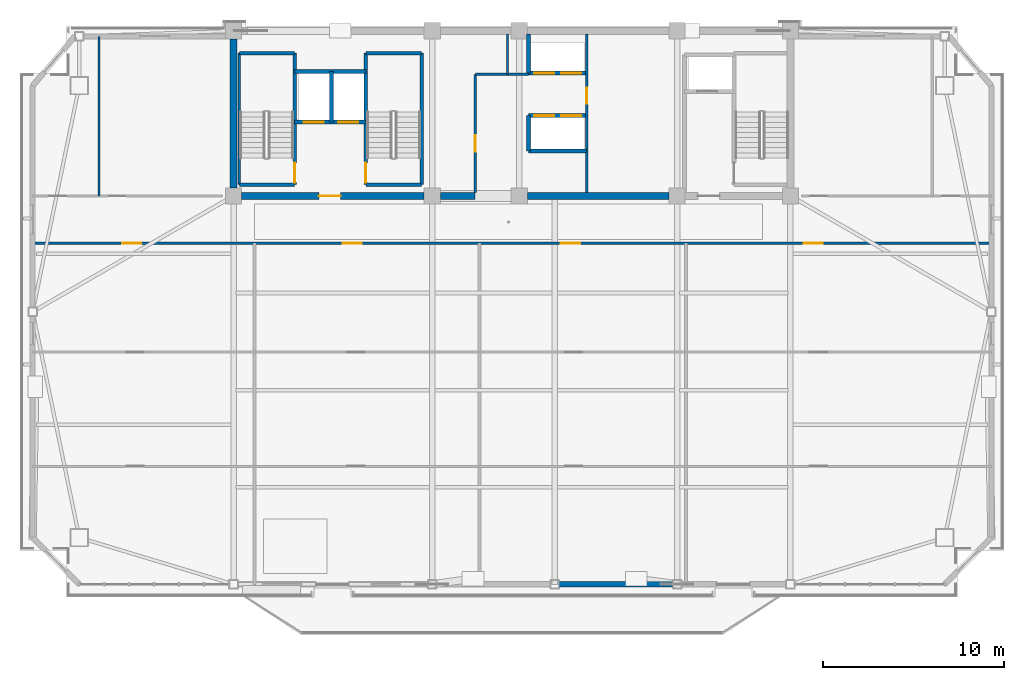
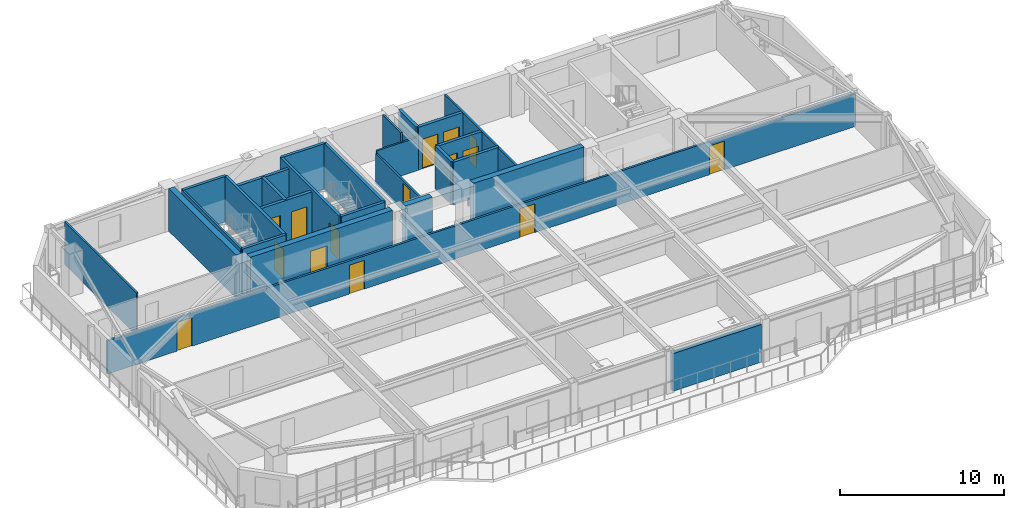
# One storey, part 9 of 18: 27 walls, 15 doors, 15 openings.
"""IFC4 building model written with IfcOpenShell, lengths in metres."""

from ifc_helpers import new_model, si_unit, direction, frame, frame_2d, origin, place, context, subcontext, project, spatial, rectangle, extrude, source, transform, mapped, material, layer, layer_set, type_object, element, fill, save


model = new_model("IFC4")

# Units and contexts
model_context = context("Model", 3, precision=1e-05, world=origin(), true_north=direction((0.0, 1.0)))
body_context = subcontext(model_context, "Body", "Model", "MODEL_VIEW")
ifc_project = project(units=[si_unit("LENGTHUNIT", "METRE"), si_unit("AREAUNIT", "SQUARE_METRE"), si_unit("VOLUMEUNIT", "CUBIC_METRE"), si_unit("PLANEANGLEUNIT", "RADIAN"), si_unit("MASSUNIT", "GRAM", prefix="KILO")], contexts=[model_context])

# Site, building, storey
site_placement = place(None, origin())
site = spatial("IfcSite", under=ifc_project, at=site_placement, CompositionType="ELEMENT")
building_placement = place(site_placement, origin())
building = spatial("IfcBuilding", under=site, at=building_placement, Name="Giltprow Tower", CompositionType="ELEMENT")
storey_placement = place(building_placement, frame((0.0, 0.0, 258.699951171875)))
storey = spatial("IfcBuildingStorey", under=building, at=storey_placement, Name="L66", CompositionType="ELEMENT", Elevation=258.699951171875)

# Wall
ifc_material_1 = material(Name="Precast concrete C40", Category="concrete")
ifc_layer_1 = layer(ifc_material_1, 0.280029296875, Name="Precast concrete C40")
ifc_layer_set_1 = layer_set([ifc_layer_1], Name="Precast concrete C40")
wall_type_1 = type_object("IfcWallType", Name="EW-TOW-BRONZE-280", PredefinedType="SOLIDWALL", material=ifc_layer_set_1)
wall_1_placement = place(storey_placement, frame((37.800048828125, 16.044921875, 0.0), z_axis=(0.0, 0.0, 1.0), x_axis=(1.0, 0.0, 0.0)))
element("IfcWall", 1, at=wall_1_placement, inside=storey, type_object=wall_type_1, Name="L66 South Expressed Frame Wall 4", PredefinedType="SOLIDWALL", context=body_context, shape_type="SweptSolid", body=[
    extrude(rectangle(XDim=6.25, YDim=0.280029296875, at=frame_2d((3.125, 0.0))), origin(), (0.0, 0.0, 1.0), 2.81494140625),
])

# Wall, openings, doors
ifc_material_2 = material(Name="Gypsum stud partition", Category="gypsum")
ifc_layer_2 = layer(ifc_material_2, 0.14990234375, Name="Gypsum stud partition")
ifc_layer_set_2 = layer_set([ifc_layer_2], Name="Gypsum stud partition")
wall_type_2 = type_object("IfcWallType", Name="IW-CORR-150", PredefinedType="PARTITIONING", material=ifc_layer_set_2)
wall_2_placement = place(storey_placement, frame((8.779052734375, 34.85009765625, 0.0), z_axis=(0.0, 0.0, 1.0), x_axis=(1.0, 0.0, 0.0)))
wall_2 = element("IfcWall", 2, at=wall_2_placement, inside=storey, type_object=wall_type_2, Name="L66 Residence Gallery Corridor Wall", PredefinedType="PARTITIONING", context=body_context, shape_type="SweptSolid", body=[
    extrude(rectangle(XDim=52.843017578125, YDim=0.14990234375, at=frame_2d((26.42138671875, 0.0))), origin(), (0.0, 0.0, 1.0), 2.469970703125),
])
opening_1_placement = place(wall_2_placement, frame((4.93701171875, 0.0, 0.0)))
opening_1 = element("IfcOpeningElement", 3, at=opening_1_placement, cuts=wall_2, Name="Opening ID31", PredefinedType="OPENING", context=body_context, shape_type="SweptSolid", body=[
    extrude(rectangle(XDim=1.050048828125, YDim=2.14990234375, at=frame_2d((0.52490234375, 1.074951171875))), frame((0.0, 0.0849609375, 0.0), z_axis=(0.0, -1.0, 0.0), x_axis=(1.0, 0.0, 0.0)), (0.0, 0.0, 1.0), 0.169921875),
])
opening_2_placement = place(wall_2_placement, frame((17.10205078125, 0.0, 0.0)))
opening_2 = element("IfcOpeningElement", 4, at=opening_2_placement, cuts=wall_2, Name="Opening ID31", PredefinedType="OPENING", context=body_context, shape_type="SweptSolid", body=[
    extrude(rectangle(XDim=1.050048828125, YDim=2.14990234375, at=frame_2d((0.52490234375, 1.074951171875))), frame((0.0, 0.0849609375, 0.0), z_axis=(0.0, -1.0, 0.0), x_axis=(1.0, 0.0, 0.0)), (0.0, 0.0, 1.0), 0.169921875),
])
opening_3_placement = place(wall_2_placement, frame((29.1220703125, 0.0, 0.0)))
opening_3 = element("IfcOpeningElement", 5, at=opening_3_placement, cuts=wall_2, Name="Opening ID31", PredefinedType="OPENING", context=body_context, shape_type="SweptSolid", body=[
    extrude(rectangle(XDim=1.050048828125, YDim=2.14990234375, at=frame_2d((0.52490234375, 1.074951171875))), frame((0.0, 0.0849609375, 0.0), z_axis=(0.0, -1.0, 0.0), x_axis=(1.0, 0.0, 0.0)), (0.0, 0.0, 1.0), 0.169921875),
])
opening_4_placement = place(wall_2_placement, frame((42.507080078125, 0.0, 0.0)))
opening_4 = element("IfcOpeningElement", 6, at=opening_4_placement, cuts=wall_2, Name="Opening ID31", PredefinedType="OPENING", context=body_context, shape_type="SweptSolid", body=[
    extrude(rectangle(XDim=1.050048828125, YDim=2.14990234375, at=frame_2d((0.52490234375, 1.074951171875))), frame((0.0, 0.0849609375, 0.0), z_axis=(0.0, -1.0, 0.0), x_axis=(1.0, 0.0, 0.0)), (0.0, 0.0, 1.0), 0.169921875),
])
ifc_material_3 = material(Name="Engineered timber", Category="wood")
door_type_1 = type_object("IfcDoorType", Name="DR-SUITE-1050", OperationType="SINGLE_SWING_LEFT", PredefinedType="DOOR", material=ifc_material_3)
shared_shape_1 = source(origin(), body_context, "Body", "SweptSolid", [
    extrude(rectangle(XDim=1.050048828125, YDim=2.14990234375, at=frame_2d((0.52490234375, 1.074951171875))), frame((0.0, 0.02490234375, 0.0), z_axis=(0.0, -1.0, 0.0), x_axis=(1.0, 0.0, 0.0)), (0.0, 0.0, 1.0), 0.050048828125),
])
door_1_placement = place(opening_1_placement, origin())
door_1 = element("IfcDoor", 7, at=door_1_placement, inside=storey, type_object=door_type_1, Name="L66 Gourmet Delicatessen Shop 1 North Door", OperationType="SINGLE_SWING_RIGHT", OverallHeight=2.14990234375, OverallWidth=1.050048828125, PredefinedType="DOOR", context=body_context, shape_type="MappedRepresentation", body=[
    mapped(shared_shape_1, transform((0.0, 0.0, 0.0), x_axis=(1.0, 0.0, 0.0), y_axis=(0.0, 1.0, 0.0), z_axis=(0.0, 0.0, 1.0), scale=1.0)),
])
fill(opening_1, door_1)
door_2_placement = place(opening_2_placement, origin())
door_2 = element("IfcDoor", 8, at=door_2_placement, inside=storey, type_object=door_type_1, Name="L66 Residents Sky Club Lounge North Door", OperationType="SINGLE_SWING_LEFT", OverallHeight=2.14990234375, OverallWidth=1.050048828125, PredefinedType="DOOR", context=body_context, shape_type="MappedRepresentation", body=[
    mapped(shared_shape_1, transform((0.0, 0.0, 0.0), x_axis=(1.0, 0.0, 0.0), y_axis=(0.0, 1.0, 0.0), z_axis=(0.0, 0.0, 1.0), scale=1.0)),
])
fill(opening_2, door_2)
door_3_placement = place(opening_3_placement, origin())
door_3 = element("IfcDoor", 9, at=door_3_placement, inside=storey, type_object=door_type_1, Name="L66 Residents Sky Club Lounge North Door", OperationType="SINGLE_SWING_RIGHT", OverallHeight=2.14990234375, OverallWidth=1.050048828125, PredefinedType="DOOR", context=body_context, shape_type="MappedRepresentation", body=[
    mapped(shared_shape_1, transform((0.0, 0.0, 0.0), x_axis=(1.0, 0.0, 0.0), y_axis=(0.0, 1.0, 0.0), z_axis=(0.0, 0.0, 1.0), scale=1.0)),
])
fill(opening_3, door_3)
door_4_placement = place(opening_4_placement, origin())
door_4 = element("IfcDoor", 10, at=door_4_placement, inside=storey, type_object=door_type_1, Name="L66 Artisan Bakery Shop 2 North Door", OperationType="SINGLE_SWING_LEFT", OverallHeight=2.14990234375, OverallWidth=1.050048828125, PredefinedType="DOOR", context=body_context, shape_type="MappedRepresentation", body=[
    mapped(shared_shape_1, transform((0.0, 0.0, 0.0), x_axis=(1.0, 0.0, 0.0), y_axis=(0.0, 1.0, 0.0), z_axis=(0.0, 0.0, 1.0), scale=1.0)),
])
fill(opening_4, door_4)

ifc_material_4 = material(Name="Concrete C40", Category="concrete")
ifc_layer_3 = layer(ifc_material_4, 0.219970703125, Name="Concrete C40")
ifc_layer_set_3 = layer_set([ifc_layer_3], Name="Concrete C40")
wall_type_3 = type_object("IfcWallType", Name="IW-SHAFT-220", PredefinedType="SOLIDWALL", material=ifc_layer_set_3)
wall_3_placement = place(storey_placement, frame((23.219970703125, 41.52001953125, 0.0), z_axis=(0.0, 0.0, 1.0), x_axis=(1.0, 0.0, 0.0)))
wall_3 = element("IfcWall", 11, at=wall_3_placement, inside=storey, type_object=wall_type_3, Name="L66 FFL1 and Service Lift Front Wall", PredefinedType="SOLIDWALL", context=body_context, shape_type="SweptSolid", body=[
    extrude(rectangle(XDim=3.919921875, YDim=0.219970703125, at=frame_2d((1.9599609375, 0.0))), origin(), (0.0, 0.0, 1.0), 3.18505859375),
])
opening_5_placement = place(wall_3_placement, frame((0.5, 0.0, 0.0)))
opening_5 = element("IfcOpeningElement", 12, at=opening_5_placement, cuts=wall_3, Name="Opening LD-11", PredefinedType="OPENING", context=body_context, shape_type="SweptSolid", body=[
    extrude(rectangle(XDim=1.10009765625, YDim=2.199951171875, at=frame_2d((0.550048828125, 1.10009765625))), frame((0.0, 0.119873046875, 0.0), z_axis=(0.0, -1.0, 0.0), x_axis=(1.0, 0.0, 0.0)), (0.0, 0.0, 1.0), 0.239990234375),
])
opening_6_placement = place(wall_3_placement, frame((2.39990234375, 0.0, 0.0)))
opening_6 = element("IfcOpeningElement", 13, at=opening_6_placement, cuts=wall_3, Name="Opening LD-11", PredefinedType="OPENING", context=body_context, shape_type="SweptSolid", body=[
    extrude(rectangle(XDim=1.10009765625, YDim=2.199951171875, at=frame_2d((0.550048828125, 1.10009765625))), frame((0.0, 0.119873046875, 0.0), z_axis=(0.0, -1.0, 0.0), x_axis=(1.0, 0.0, 0.0)), (0.0, 0.0, 1.0), 0.239990234375),
])
ifc_material_5 = material(Name="Stainless steel", Category="steel")
door_type_2 = type_object("IfcDoorType", Name="DR-LIFT-LD1100", OperationType="SLIDING_TO_LEFT", PredefinedType="DOOR", material=ifc_material_5)
shared_shape_2 = source(origin(), body_context, "Body", "SweptSolid", [
    extrude(rectangle(XDim=1.10009765625, YDim=2.199951171875, at=frame_2d((0.550048828125, 1.10009765625))), frame((0.0, 0.02490234375, 0.0), z_axis=(0.0, -1.0, 0.0), x_axis=(1.0, 0.0, 0.0)), (0.0, 0.0, 1.0), 0.050048828125),
])
door_5_placement = place(opening_5_placement, origin())
door_5 = element("IfcDoor", 14, at=door_5_placement, inside=storey, type_object=door_type_2, Name="L66 FFL1 Landing Door", OperationType="SLIDING_TO_LEFT", OverallHeight=2.199951171875, OverallWidth=1.10009765625, PredefinedType="DOOR", context=body_context, shape_type="MappedRepresentation", body=[
    mapped(shared_shape_2, transform((0.0, 0.0, 0.0), x_axis=(1.0, 0.0, 0.0), y_axis=(0.0, 1.0, 0.0), z_axis=(0.0, 0.0, 1.0), scale=1.0)),
])
fill(opening_5, door_5)
door_6_placement = place(opening_6_placement, origin())
door_6 = element("IfcDoor", 15, at=door_6_placement, inside=storey, type_object=door_type_2, Name="L66 SVL1 Landing Door", OperationType="SLIDING_TO_LEFT", OverallHeight=2.199951171875, OverallWidth=1.10009765625, PredefinedType="DOOR", context=body_context, shape_type="MappedRepresentation", body=[
    mapped(shared_shape_2, transform((0.0, 0.0, 0.0), x_axis=(1.0, 0.0, 0.0), y_axis=(0.0, 1.0, 0.0), z_axis=(0.0, 0.0, 1.0), scale=1.0)),
])
fill(opening_6, door_6)

# Walls
wall_4_placement = place(storey_placement, frame((25.260009765625, 41.52001953125, 0.0), z_axis=(0.0, 0.0, 1.0), x_axis=(0.0, 1.0, 0.0)))
element("IfcWall", 16, at=wall_4_placement, inside=storey, type_object=wall_type_3, Name="L66 FFL1-SVL1 Shaft Divider", PredefinedType="SOLIDWALL", context=body_context, shape_type="SweptSolid", body=[
    extrude(rectangle(XDim=2.800048828125, YDim=0.219970703125, at=frame_2d((1.39990234375, 0.0))), origin(), (0.0, 0.0, 1.0), 3.18505859375),
])
wall_5_placement = place(storey_placement, frame((23.219970703125, 44.320068359375, 0.0), z_axis=(0.0, 0.0, 1.0), x_axis=(1.0, 0.0, 0.0)))
element("IfcWall", 17, at=wall_5_placement, inside=storey, type_object=wall_type_3, Name="L66 FFL1-SVL1 Back Shaft Wall", PredefinedType="SOLIDWALL", context=body_context, shape_type="SweptSolid", body=[
    extrude(rectangle(XDim=3.919921875, YDim=0.219970703125, at=frame_2d((1.9599609375, 0.0))), origin(), (0.0, 0.0, 1.0), 3.18505859375),
])

# Wall, openings, doors
wall_6_placement = place(storey_placement, frame((36.1201171875, 44.219970703125, 0.0), z_axis=(0.0, 0.0, 1.0), x_axis=(1.0, 0.0, 0.0)))
wall_6 = element("IfcWall", 18, at=wall_6_placement, inside=storey, type_object=wall_type_3, Name="L66 High-Rise Lift Shaft Front Wall N", PredefinedType="SOLIDWALL", context=body_context, shape_type="SweptSolid", body=[
    extrude(rectangle(XDim=3.199951171875, YDim=0.219970703125, at=frame_2d((1.60009765625, 0.0))), origin(), (0.0, 0.0, 1.0), 3.18505859375),
])
opening_7_placement = place(wall_6_placement, frame((0.300048828125, 0.0, 0.0)))
opening_7 = element("IfcOpeningElement", 19, at=opening_7_placement, cuts=wall_6, Name="Opening LD-11", PredefinedType="OPENING", context=body_context, shape_type="SweptSolid", body=[
    extrude(rectangle(XDim=1.10009765625, YDim=2.199951171875, at=frame_2d((0.550048828125, 1.10009765625))), frame((0.0, 0.119873046875, 0.0), z_axis=(0.0, -1.0, 0.0), x_axis=(1.0, 0.0, 0.0)), (0.0, 0.0, 1.0), 0.239990234375),
])
opening_8_placement = place(wall_6_placement, frame((1.7900390625, 0.0, 0.0)))
opening_8 = element("IfcOpeningElement", 20, at=opening_8_placement, cuts=wall_6, Name="Opening LD-11", PredefinedType="OPENING", context=body_context, shape_type="SweptSolid", body=[
    extrude(rectangle(XDim=1.10009765625, YDim=2.199951171875, at=frame_2d((0.550048828125, 1.10009765625))), frame((0.0, 0.119873046875, 0.0), z_axis=(0.0, -1.0, 0.0), x_axis=(1.0, 0.0, 0.0)), (0.0, 0.0, 1.0), 0.239990234375),
])
door_7_placement = place(opening_7_placement, origin())
door_7 = element("IfcDoor", 21, at=door_7_placement, inside=storey, type_object=door_type_2, Name="L66 PL-H1 Landing Door", OperationType="SLIDING_TO_LEFT", OverallHeight=2.199951171875, OverallWidth=1.10009765625, PredefinedType="DOOR", context=body_context, shape_type="MappedRepresentation", body=[
    mapped(shared_shape_2, transform((0.0, 0.0, 0.0), x_axis=(1.0, 0.0, 0.0), y_axis=(0.0, 1.0, 0.0), z_axis=(0.0, 0.0, 1.0), scale=1.0)),
])
fill(opening_7, door_7)
door_8_placement = place(opening_8_placement, origin())
door_8 = element("IfcDoor", 22, at=door_8_placement, inside=storey, type_object=door_type_2, Name="L66 PL-H2 Landing Door", OperationType="SLIDING_TO_LEFT", OverallHeight=2.199951171875, OverallWidth=1.10009765625, PredefinedType="DOOR", context=body_context, shape_type="MappedRepresentation", body=[
    mapped(shared_shape_2, transform((0.0, 0.0, 0.0), x_axis=(1.0, 0.0, 0.0), y_axis=(0.0, 1.0, 0.0), z_axis=(0.0, 0.0, 1.0), scale=1.0)),
])
fill(opening_8, door_8)

wall_7_placement = place(storey_placement, frame((36.1201171875, 41.8798828125, 0.0), z_axis=(0.0, 0.0, 1.0), x_axis=(1.0, 0.0, 0.0)))
wall_7 = element("IfcWall", 23, at=wall_7_placement, inside=storey, type_object=wall_type_3, Name="L66 High-Rise Lift Shaft Front Wall S", PredefinedType="SOLIDWALL", context=body_context, shape_type="SweptSolid", body=[
    extrude(rectangle(XDim=3.199951171875, YDim=0.219970703125, at=frame_2d((1.60009765625, 0.0))), origin(), (0.0, 0.0, 1.0), 3.18505859375),
])
opening_9_placement = place(wall_7_placement, frame((0.300048828125, 0.0, 0.0)))
opening_9 = element("IfcOpeningElement", 24, at=opening_9_placement, cuts=wall_7, Name="Opening LD-11", PredefinedType="OPENING", context=body_context, shape_type="SweptSolid", body=[
    extrude(rectangle(XDim=1.10009765625, YDim=2.199951171875, at=frame_2d((0.550048828125, 1.10009765625))), frame((0.0, 0.119873046875, 0.0), z_axis=(0.0, -1.0, 0.0), x_axis=(1.0, 0.0, 0.0)), (0.0, 0.0, 1.0), 0.239990234375),
])
opening_10_placement = place(wall_7_placement, frame((1.7900390625, 0.0, 0.0)))
opening_10 = element("IfcOpeningElement", 25, at=opening_10_placement, cuts=wall_7, Name="Opening LD-11", PredefinedType="OPENING", context=body_context, shape_type="SweptSolid", body=[
    extrude(rectangle(XDim=1.10009765625, YDim=2.199951171875, at=frame_2d((0.550048828125, 1.10009765625))), frame((0.0, 0.119873046875, 0.0), z_axis=(0.0, -1.0, 0.0), x_axis=(1.0, 0.0, 0.0)), (0.0, 0.0, 1.0), 0.239990234375),
])
door_9_placement = place(opening_9_placement, origin())
door_9 = element("IfcDoor", 26, at=door_9_placement, inside=storey, type_object=door_type_2, Name="L66 PL-H3 Landing Door", OperationType="SLIDING_TO_LEFT", OverallHeight=2.199951171875, OverallWidth=1.10009765625, PredefinedType="DOOR", context=body_context, shape_type="MappedRepresentation", body=[
    mapped(shared_shape_2, transform((0.0, 0.0, 0.0), x_axis=(1.0, 0.0, 0.0), y_axis=(0.0, 1.0, 0.0), z_axis=(0.0, 0.0, 1.0), scale=1.0)),
])
fill(opening_9, door_9)
door_10_placement = place(opening_10_placement, origin())
door_10 = element("IfcDoor", 27, at=door_10_placement, inside=storey, type_object=door_type_2, Name="L66 PL-H4 Landing Door", OperationType="SLIDING_TO_LEFT", OverallHeight=2.199951171875, OverallWidth=1.10009765625, PredefinedType="DOOR", context=body_context, shape_type="MappedRepresentation", body=[
    mapped(shared_shape_2, transform((0.0, 0.0, 0.0), x_axis=(1.0, 0.0, 0.0), y_axis=(0.0, 1.0, 0.0), z_axis=(0.0, 0.0, 1.0), scale=1.0)),
])
fill(opening_10, door_10)

# Walls
wall_8_placement = place(storey_placement, frame((36.1201171875, 39.919921875, 0.0), z_axis=(0.0, 0.0, 1.0), x_axis=(1.0, 0.0, 0.0)))
element("IfcWall", 28, at=wall_8_placement, inside=storey, type_object=wall_type_3, Name="L66 High-Rise South Lift Back Wall", PredefinedType="SOLIDWALL", context=body_context, shape_type="SweptSolid", body=[
    extrude(rectangle(XDim=3.199951171875, YDim=0.219970703125, at=frame_2d((1.60009765625, 0.0))), origin(), (0.0, 0.0, 1.0), 3.18505859375),
])
wall_9_placement = place(storey_placement, frame((36.1201171875, 39.919921875, 0.0), z_axis=(0.0, 0.0, 1.0), x_axis=(0.0, 1.0, 0.0)))
element("IfcWall", 29, at=wall_9_placement, inside=storey, type_object=wall_type_3, Name="L66 High-Rise South Lift West Closure", PredefinedType="SOLIDWALL", context=body_context, shape_type="SweptSolid", body=[
    extrude(rectangle(XDim=1.9599609375, YDim=0.219970703125, at=frame_2d((0.97998046875, 0.0))), origin(), (0.0, 0.0, 1.0), 3.18505859375),
])
wall_10_placement = place(storey_placement, frame((36.1201171875, 44.219970703125, 0.0), z_axis=(0.0, 0.0, 1.0), x_axis=(0.0, 1.0, 0.0)))
element("IfcWall", 30, at=wall_10_placement, inside=storey, type_object=wall_type_3, Name="L66 High-Rise North Lift West Closure", PredefinedType="SOLIDWALL", context=body_context, shape_type="SweptSolid", body=[
    extrude(rectangle(XDim=2.150146484375, YDim=0.219970703125, at=frame_2d((1.0751953125, 0.0))), origin(), (0.0, 0.0, 1.0), 3.18505859375),
])
ifc_material_6 = material(Name="Concrete C45", Category="concrete")
ifc_layer_4 = layer(ifc_material_6, 0.139892578125, Name="Concrete C45")
ifc_layer_set_4 = layer_set([ifc_layer_4], Name="Concrete C45")
wall_type_4 = type_object("IfcWallType", Name="IW-STAIR-140", PredefinedType="SOLIDWALL", material=ifc_layer_set_4)
wall_11_placement = place(storey_placement, frame((20.169921875, 38.070068359375, 0.0), z_axis=(0.0, 0.0, 1.0), x_axis=(0.0, 1.0, 0.0)))
element("IfcWall", 31, at=wall_11_placement, inside=storey, type_object=wall_type_4, Name="L66 Stair ST-1 West Bearing Wall", PredefinedType="SOLIDWALL", context=body_context, shape_type="SweptSolid", body=[
    extrude(rectangle(XDim=7.25, YDim=0.139892578125, at=frame_2d((3.625, 0.0))), origin(), (0.0, 0.0, 1.0), 3.400146484375),
])

# Wall, opening, door
ifc_layer_5 = layer(ifc_material_4, 0.199951171875, Name="Concrete C40")
ifc_layer_set_5 = layer_set([ifc_layer_5], Name="Concrete C40")
wall_type_5 = type_object("IfcWallType", Name="IW-STAIR-200", PredefinedType="SOLIDWALL", material=ifc_layer_set_5)
wall_12_placement = place(storey_placement, frame((23.219970703125, 38.070068359375, 0.0), z_axis=(0.0, 0.0, 1.0), x_axis=(0.0, 1.0, 0.0)))
wall_12 = element("IfcWall", 32, at=wall_12_placement, inside=storey, type_object=wall_type_5, Name="L66 Stair ST-1 East Bearing Wall", PredefinedType="SOLIDWALL", context=body_context, shape_type="SweptSolid", body=[
    extrude(rectangle(XDim=7.25, YDim=0.199951171875, at=frame_2d((3.625, 0.0))), origin(), (0.0, 0.0, 1.0), 3.400146484375),
])
opening_11_placement = place(wall_12_placement, frame((0.110107421875, 0.0, 0.0)))
opening_11 = element("IfcOpeningElement", 33, at=opening_11_placement, cuts=wall_12, Name="Opening ID33", PredefinedType="OPENING", context=body_context, shape_type="SweptSolid", body=[
    extrude(rectangle(XDim=1.10009765625, YDim=2.14990234375, at=frame_2d((0.550048828125, 1.074951171875))), frame((0.0, 0.10986328125, 0.0), z_axis=(0.0, -1.0, 0.0), x_axis=(1.0, 0.0, 0.0)), (0.0, 0.0, 1.0), 0.219970703125),
])
ifc_material_7 = material(Name="Steel fire leaf", Category="steel")
door_type_3 = type_object("IfcDoorType", Name="DR-STAIR-1100", OperationType="SINGLE_SWING_LEFT", PredefinedType="DOOR", material=ifc_material_7)
shared_shape_3 = source(origin(), body_context, "Body", "SweptSolid", [
    extrude(rectangle(XDim=1.10009765625, YDim=2.14990234375, at=frame_2d((0.550048828125, 1.074951171875))), frame((0.0, 0.02490234375, 0.0), z_axis=(0.0, -1.0, 0.0), x_axis=(1.0, 0.0, 0.0)), (0.0, 0.0, 1.0), 0.050048828125),
])
door_11_placement = place(opening_11_placement, origin())
door_11 = element("IfcDoor", 34, at=door_11_placement, inside=storey, type_object=door_type_3, Name="L66 Stair ST-1 Fire Door", OperationType="SINGLE_SWING_LEFT", OverallHeight=2.14990234375, OverallWidth=1.10009765625, PredefinedType="DOOR", context=body_context, shape_type="MappedRepresentation", body=[
    mapped(shared_shape_3, transform((0.0, 0.0, 0.0), x_axis=(1.0, 0.0, 0.0), y_axis=(0.0, 1.0, 0.0), z_axis=(0.0, 0.0, 1.0), scale=1.0)),
])
fill(opening_11, door_11)

# Walls
for number, where, z_axis, x_axis, name in (
    (35, (20.169921875, 45.320068359375, 0.0), (0.0, 0.0, 1.0), (1.0, 0.0, 0.0), "L66 Stair ST-1 North Bearing Wall"),
    (36, (20.169921875, 38.070068359375, 0.0), (0.0, 0.0, 1.0), (1.0, 0.0, 0.0), "L66 Stair ST-1 South Bearing Wall"),
):
    element("IfcWall", number, at=place(storey_placement, frame(where, z_axis=z_axis, x_axis=x_axis)), inside=storey, type_object=wall_type_5, Name=name, PredefinedType="SOLIDWALL", context=body_context, shape_type="SweptSolid", body=[
        extrude(rectangle(XDim=3.050048828125, YDim=0.199951171875, at=frame_2d((1.52490234375, 0.0))), origin(), (0.0, 0.0, 1.0), 3.400146484375),
    ])

# Wall, opening, door
wall_13_placement = place(storey_placement, frame((27.139892578125, 38.070068359375, 0.0), z_axis=(0.0, 0.0, 1.0), x_axis=(0.0, 1.0, 0.0)))
wall_13 = element("IfcWall", 37, at=wall_13_placement, inside=storey, type_object=wall_type_5, Name="L66 Stair ST-2 West Bearing Wall", PredefinedType="SOLIDWALL", context=body_context, shape_type="SweptSolid", body=[
    extrude(rectangle(XDim=7.25, YDim=0.199951171875, at=frame_2d((3.625, 0.0))), origin(), (0.0, 0.0, 1.0), 3.400146484375),
])
opening_12_placement = place(wall_13_placement, frame((0.110107421875, 0.0, 0.0)))
opening_12 = element("IfcOpeningElement", 38, at=opening_12_placement, cuts=wall_13, Name="Opening ID33", PredefinedType="OPENING", context=body_context, shape_type="SweptSolid", body=[
    extrude(rectangle(XDim=1.10009765625, YDim=2.14990234375, at=frame_2d((0.550048828125, 1.074951171875))), frame((0.0, 0.10986328125, 0.0), z_axis=(0.0, -1.0, 0.0), x_axis=(1.0, 0.0, 0.0)), (0.0, 0.0, 1.0), 0.219970703125),
])
door_12_placement = place(opening_12_placement, origin())
door_12 = element("IfcDoor", 39, at=door_12_placement, inside=storey, type_object=door_type_3, Name="L66 Stair ST-2 Fire Door", OperationType="SINGLE_SWING_RIGHT", OverallHeight=2.14990234375, OverallWidth=1.10009765625, PredefinedType="DOOR", context=body_context, shape_type="MappedRepresentation", body=[
    mapped(shared_shape_3, transform((0.0, 0.0, 0.0), x_axis=(1.0, 0.0, 0.0), y_axis=(0.0, 1.0, 0.0), z_axis=(0.0, 0.0, 1.0), scale=1.0)),
])
fill(opening_12, door_12)

# Walls
wall_14_placement = place(storey_placement, frame((30.219970703125, 38.070068359375, 0.0), z_axis=(0.0, 0.0, 1.0), x_axis=(0.0, 1.0, 0.0)))
element("IfcWall", 40, at=wall_14_placement, inside=storey, type_object=wall_type_5, Name="L66 Stair ST-2 East Bearing Wall", PredefinedType="SOLIDWALL", context=body_context, shape_type="SweptSolid", body=[
    extrude(rectangle(XDim=7.25, YDim=0.199951171875, at=frame_2d((3.625, 0.0))), origin(), (0.0, 0.0, 1.0), 3.400146484375),
])
for number, where, z_axis, x_axis, name in (
    (41, (27.139892578125, 45.320068359375, 0.0), (0.0, 0.0, 1.0), (1.0, 0.0, 0.0), "L66 Stair ST-2 North Bearing Wall"),
    (42, (27.139892578125, 38.070068359375, 0.0), (0.0, 0.0, 1.0), (1.0, 0.0, 0.0), "L66 Stair ST-2 South Bearing Wall"),
):
    element("IfcWall", number, at=place(storey_placement, frame(where, z_axis=z_axis, x_axis=x_axis)), inside=storey, type_object=wall_type_5, Name=name, PredefinedType="SOLIDWALL", context=body_context, shape_type="SweptSolid", body=[
        extrude(rectangle(XDim=3.080078125, YDim=0.199951171875, at=frame_2d((1.5400390625, 0.0))), origin(), (0.0, 0.0, 1.0), 3.400146484375),
    ])

# Wall, opening, door
ifc_material_8 = material(Name="Concrete C30", Category="concrete")
ifc_layer_6 = layer(ifc_material_8, 0.1298828125, Name="Concrete C30")
ifc_layer_set_6 = layer_set([ifc_layer_6], Name="Concrete C30")
wall_type_6 = type_object("IfcWallType", Name="IW-WET-130", PredefinedType="PARTITIONING", material=ifc_layer_set_6)
wall_15_placement = place(storey_placement, frame((33.179931640625, 37.6298828125, 0.0), z_axis=(0.0, 0.0, 1.0), x_axis=(0.0, 1.0, 0.0)))
wall_15 = element("IfcWall", 43, at=wall_15_placement, inside=storey, type_object=wall_type_6, Name="L66 Reclaimed West Core Wall", PredefinedType="PARTITIONING", context=body_context, shape_type="SweptSolid", body=[
    extrude(rectangle(XDim=6.52001953125, YDim=0.1298828125, at=frame_2d((3.260009765625, 0.0))), origin(), (0.0, 0.0, 1.0), 2.27001953125),
])
opening_13_placement = place(wall_15_placement, frame((2.27001953125, 0.0, 0.0)))
opening_13 = element("IfcOpeningElement", 44, at=opening_13_placement, cuts=wall_15, Name="Opening ID35", PredefinedType="OPENING", context=body_context, shape_type="SweptSolid", body=[
    extrude(rectangle(XDim=0.89990234375, YDim=2.10009765625, at=frame_2d((0.449951171875, 1.050048828125))), frame((0.0, 0.074951171875, 0.0), z_axis=(0.0, -1.0, 0.0), x_axis=(1.0, 0.0, 0.0)), (0.0, 0.0, 1.0), 0.14990234375),
])
door_type_4 = type_object("IfcDoorType", Name="DR-SHAFT-900", OperationType="SINGLE_SWING_LEFT", PredefinedType="DOOR", material=ifc_material_7)
shared_shape_4 = source(origin(), body_context, "Body", "SweptSolid", [
    extrude(rectangle(XDim=0.89990234375, YDim=2.10009765625, at=frame_2d((0.449951171875, 1.050048828125))), frame((0.0, 0.02490234375, 0.0), z_axis=(0.0, -1.0, 0.0), x_axis=(1.0, 0.0, 0.0)), (0.0, 0.0, 1.0), 0.050048828125),
])
door_13_placement = place(opening_13_placement, origin())
door_13 = element("IfcDoor", 45, at=door_13_placement, inside=storey, type_object=door_type_4, Name="L66 Core Accessible Washroom Door", OperationType="SINGLE_SWING_RIGHT", OverallHeight=2.10009765625, OverallWidth=0.89990234375, PredefinedType="DOOR", context=body_context, shape_type="MappedRepresentation", body=[
    mapped(shared_shape_4, transform((0.0, 0.0, 0.0), x_axis=(1.0, 0.0, 0.0), y_axis=(0.0, 1.0, 0.0), z_axis=(0.0, 0.0, 1.0), scale=1.0)),
])
fill(opening_13, door_13)

# Walls
wall_16_placement = place(storey_placement, frame((34.949951171875, 44.14990234375, 0.0), z_axis=(0.0, 0.0, 1.0), x_axis=(0.0, 1.0, 0.0)))
element("IfcWall", 46, at=wall_16_placement, inside=storey, type_object=wall_type_6, Name="L66 Reclaimed West Pocket Wall E", PredefinedType="PARTITIONING", context=body_context, shape_type="SweptSolid", body=[
    extrude(rectangle(XDim=2.22021484375, YDim=0.1298828125, at=frame_2d((1.110107421875, 0.0))), origin(), (0.0, 0.0, 1.0), 3.18505859375),
])
wall_17_placement = place(storey_placement, frame((33.179931640625, 44.14990234375, 0.0), z_axis=(0.0, 0.0, 1.0), x_axis=(1.0, 0.0, 0.0)))
element("IfcWall", 47, at=wall_17_placement, inside=storey, type_object=wall_type_6, Name="L66 Reclaimed West Pocket Wall S", PredefinedType="PARTITIONING", context=body_context, shape_type="SweptSolid", body=[
    extrude(rectangle(XDim=2.940185546875, YDim=0.1298828125, at=frame_2d((1.47021484375, 0.0))), origin(), (0.0, 0.0, 1.0), 2.469970703125),
])

# Wall, opening, door
wall_18_placement = place(storey_placement, frame((39.320068359375, 37.6298828125, 0.0), z_axis=(0.0, 0.0, 1.0), x_axis=(0.0, 1.0, 0.0)))
wall_18 = element("IfcWall", 48, at=wall_18_placement, inside=storey, type_object=wall_type_6, Name="L66 Reclaimed East Core Wall", PredefinedType="PARTITIONING", context=body_context, shape_type="SweptSolid", body=[
    extrude(rectangle(XDim=8.740234375, YDim=0.1298828125, at=frame_2d((4.3701171875, 0.0))), origin(), (0.0, 0.0, 1.0), 3.18505859375),
])
opening_14_placement = place(wall_18_placement, frame((4.889892578125, 0.0, 0.0)))
opening_14 = element("IfcOpeningElement", 49, at=opening_14_placement, cuts=wall_18, Name="Opening ID35", PredefinedType="OPENING", context=body_context, shape_type="SweptSolid", body=[
    extrude(rectangle(XDim=0.89990234375, YDim=2.10009765625, at=frame_2d((0.449951171875, 1.050048828125))), frame((0.0, 0.074951171875, 0.0), z_axis=(0.0, -1.0, 0.0), x_axis=(1.0, 0.0, 0.0)), (0.0, 0.0, 1.0), 0.14990234375),
])
door_14_placement = place(opening_14_placement, origin())
door_14 = element("IfcDoor", 50, at=door_14_placement, inside=storey, type_object=door_type_4, Name="L66 Core Concierge Parcel Store Door", OperationType="SINGLE_SWING_LEFT", OverallHeight=2.10009765625, OverallWidth=0.89990234375, PredefinedType="DOOR", context=body_context, shape_type="MappedRepresentation", body=[
    mapped(shared_shape_4, transform((0.0, 0.0, 0.0), x_axis=(1.0, 0.0, 0.0), y_axis=(0.0, 1.0, 0.0), z_axis=(0.0, 0.0, 1.0), scale=1.0)),
])
fill(opening_14, door_14)

# Wall
wall_19_placement = place(storey_placement, frame((12.43701171875, 37.449951171875, 0.0), z_axis=(0.0, 0.0, 1.0), x_axis=(0.0, 1.0, 0.0)))
element("IfcWall", 51, at=wall_19_placement, inside=storey, type_object=wall_type_6, Name="L66 NW Wing Divider", PredefinedType="PARTITIONING", context=body_context, shape_type="SweptSolid", body=[
    extrude(rectangle(XDim=8.800048828125, YDim=0.1298828125, at=frame_2d((4.39990234375, 0.0))), origin(), (0.0, 0.0, 1.0), 3.18505859375),
])

# Wall, opening, door
ifc_layer_7 = layer(ifc_material_6, 0.39990234375, Name="Concrete C45")
ifc_layer_set_7 = layer_set([ifc_layer_7], Name="Concrete C45")
wall_type_7 = type_object("IfcWallType", Name="SW-INT-400-C45", PredefinedType="SHEAR", material=ifc_layer_set_7)
wall_20_placement = place(storey_placement, frame((20.300048828125, 37.449951171875, 0.0), z_axis=(0.0, 0.0, 1.0), x_axis=(1.0, 0.0, 0.0)))
wall_20 = element("IfcWall", 52, at=wall_20_placement, inside=storey, type_object=wall_type_7, Name="L66 South Rear Core Shear Wall West", PredefinedType="SHEAR", context=body_context, shape_type="SweptSolid", body=[
    extrude(rectangle(XDim=10.050048828125, YDim=0.39990234375, at=frame_2d((5.02490234375, 0.0))), origin(), (0.0, 0.0, 1.0), 3.18505859375),
])
opening_15_placement = place(wall_20_placement, frame((4.25, 0.0, 0.0)))
opening_15 = element("IfcOpeningElement", 53, at=opening_15_placement, cuts=wall_20, Name="Opening ID19", PredefinedType="OPENING", context=body_context, shape_type="SweptSolid", body=[
    extrude(rectangle(XDim=1.199951171875, YDim=2.14990234375, at=frame_2d((0.60009765625, 1.074951171875))), frame((0.0, 0.2099609375, 0.0), z_axis=(0.0, -1.0, 0.0), x_axis=(1.0, 0.0, 0.0)), (0.0, 0.0, 1.0), 0.419921875),
])
door_type_5 = type_object("IfcDoorType", Name="DR-FFLOBBY-1200", OperationType="SINGLE_SWING_RIGHT", PredefinedType="DOOR", material=ifc_material_7)
shared_shape_5 = source(origin(), body_context, "Body", "SweptSolid", [
    extrude(rectangle(XDim=1.199951171875, YDim=2.14990234375, at=frame_2d((0.60009765625, 1.074951171875))), frame((0.0, 0.02490234375, 0.0), z_axis=(0.0, -1.0, 0.0), x_axis=(1.0, 0.0, 0.0)), (0.0, 0.0, 1.0), 0.050048828125),
])
door_15_placement = place(opening_15_placement, origin())
door_15 = element("IfcDoor", 54, at=door_15_placement, inside=storey, type_object=door_type_5, Name="L66 West Firefighting Lobby Entry Door", OperationType="SINGLE_SWING_RIGHT", OverallHeight=2.14990234375, OverallWidth=1.199951171875, PredefinedType="DOOR", context=body_context, shape_type="MappedRepresentation", body=[
    mapped(shared_shape_5, transform((0.0, 0.0, 0.0), x_axis=(1.0, 0.0, 0.0), y_axis=(0.0, 1.0, 0.0), z_axis=(0.0, 0.0, 1.0), scale=1.0)),
])
fill(opening_15, door_15)

# Walls
wall_21_placement = place(storey_placement, frame((31.25, 37.449951171875, 0.0), z_axis=(0.0, 0.0, 1.0), x_axis=(1.0, 0.0, 0.0)))
element("IfcWall", 55, at=wall_21_placement, inside=storey, type_object=wall_type_7, Name="L66 South Rear Core Shear Wall Mid-West", PredefinedType="SHEAR", context=body_context, shape_type="SweptSolid", body=[
    extrude(rectangle(XDim=1.89990234375, YDim=0.39990234375, at=frame_2d((0.949951171875, 0.0))), origin(), (0.0, 0.0, 1.0), 3.18505859375),
])
wall_22_placement = place(storey_placement, frame((36.050048828125, 37.449951171875, 0.0), z_axis=(0.0, 0.0, 1.0), x_axis=(1.0, 0.0, 0.0)))
element("IfcWall", 56, at=wall_22_placement, inside=storey, type_object=wall_type_7, Name="L66 South Rear Core Shear Wall Mid-East", PredefinedType="SHEAR", context=body_context, shape_type="SweptSolid", body=[
    extrude(rectangle(XDim=7.800048828125, YDim=0.39990234375, at=frame_2d((3.89990234375, 0.0))), origin(), (0.0, 0.0, 1.0), 3.18505859375),
])
wall_23_placement = place(storey_placement, frame((19.85009765625, 37.89990234375, 0.0), z_axis=(0.0, 0.0, 1.0), x_axis=(0.0, 1.0, 0.0)))
element("IfcWall", 57, at=wall_23_placement, inside=storey, type_object=wall_type_7, Name="L66 W Rear Core Shear Wall", PredefinedType="SHEAR", context=body_context, shape_type="SweptSolid", body=[
    extrude(rectangle(XDim=8.2001953125, YDim=0.39990234375, at=frame_2d((4.10009765625, 0.0))), origin(), (0.0, 0.0, 1.0), 3.18505859375),
])

save(model, "model.ifc")
